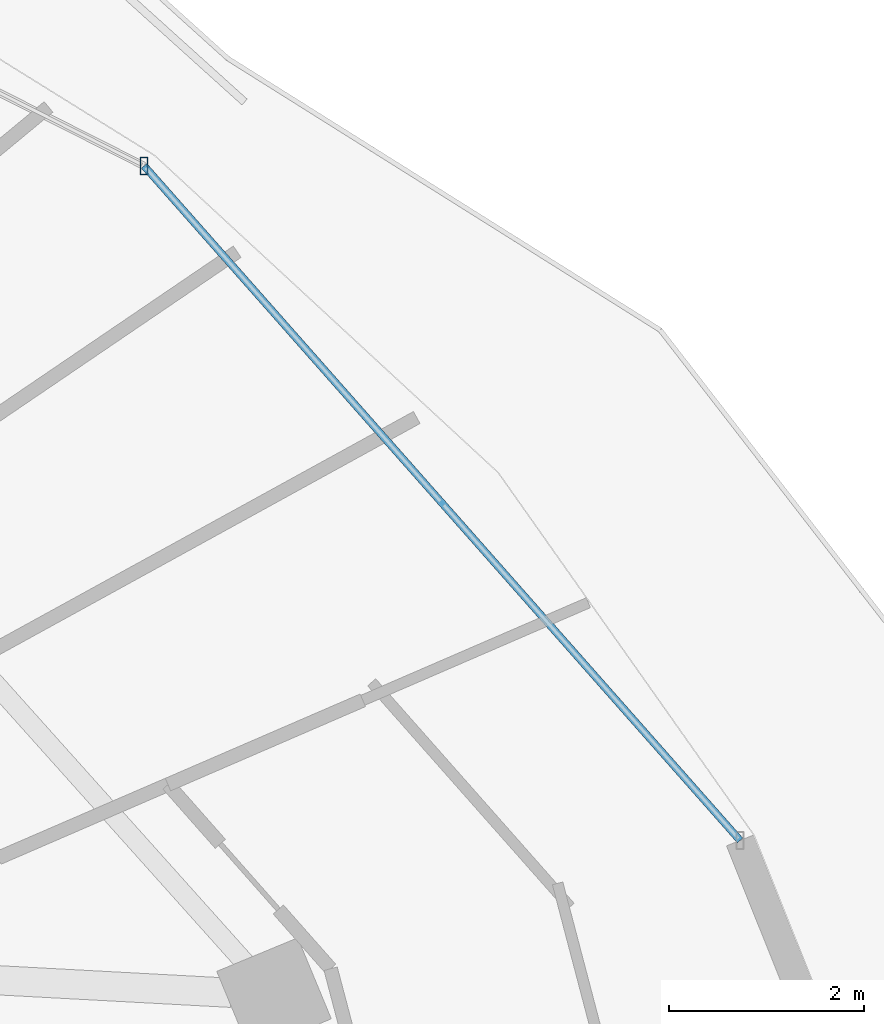
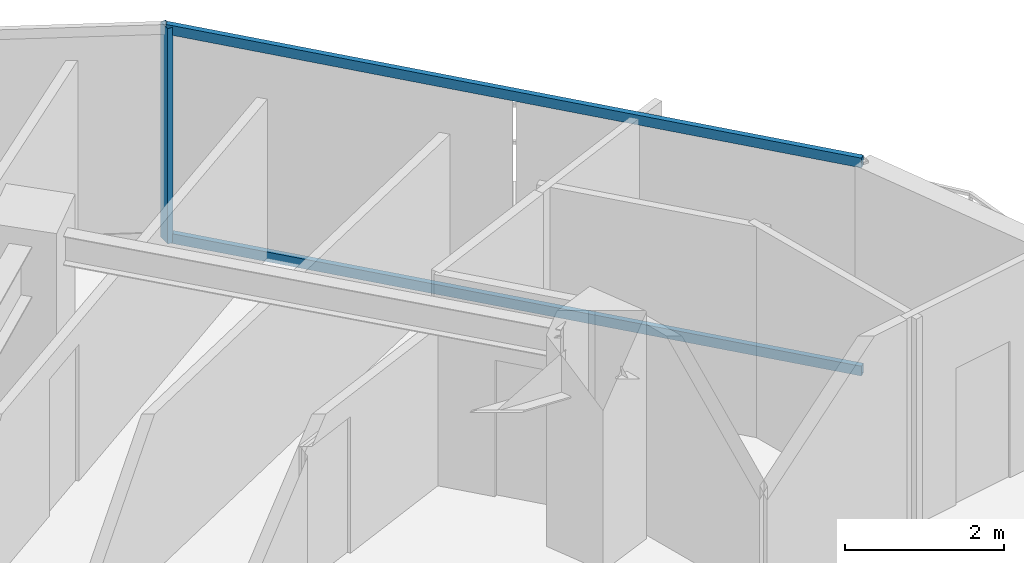
# One storey, part 22 of 34: 3 members, 1 element without a shape of its own.
"""IFC4 building model written with IfcOpenShell, lengths in metres."""

from ifc_helpers import new_model, si_unit, direction, frame, origin, origin_2d, place, context, subcontext, project, spatial, hollow_rectangle, extrude, material, material_profile, profile_set, type_object, element, aggregate, save


model = new_model("IFC4")

# Units and contexts
model_context = context("Model", 3, precision=1e-05, world=origin(), true_north=direction((0.0, 1.0)))
body_context = subcontext(model_context, "Body", "Model", "MODEL_VIEW")
ifc_project = project(units=[si_unit("LENGTHUNIT", "METRE"), si_unit("AREAUNIT", "SQUARE_METRE"), si_unit("VOLUMEUNIT", "CUBIC_METRE"), si_unit("PLANEANGLEUNIT", "RADIAN"), si_unit("MASSUNIT", "GRAM", prefix="KILO")], contexts=[model_context])

# Site, building, storey
site_placement = place(None, origin())
site = spatial("IfcSite", under=ifc_project, at=site_placement, CompositionType="ELEMENT")
building_placement = place(site_placement, origin())
building = spatial("IfcBuilding", under=site, at=building_placement, Name="Vorneva Point Tower", CompositionType="ELEMENT")
storey_placement = place(building_placement, frame((0.0, 0.0, 186.10009765625)))
storey = spatial("IfcBuildingStorey", under=building, at=storey_placement, Name="L50", CompositionType="ELEMENT", Elevation=186.10009765625)

# Curtain wall, members
ifc_material = material(Name="Pale anodised aluminium", Category="aluminium")
curtain_wall_type = type_object("IfcCurtainWallType", Name="CW-RES-SYS", PredefinedType="NOTDEFINED", material=ifc_material)
curtain_wall_placement = place(storey_placement, origin())
curtain_wall = element("IfcCurtainWall", 1, at=curtain_wall_placement, inside=storey, type_object=curtain_wall_type, Name="L50 Unitised Curtain Wall CW-L50-R01", PredefinedType="NOTDEFINED")
ifc_material_profile_1 = material_profile(ifc_material, hollow_rectangle(XDim=0.074951171875, YDim=0.179931640625, WallThickness=0.00390625, at=origin_2d()), Name="AL-MUL 180x75x4")
ifc_profile_set_1 = profile_set([ifc_material_profile_1], Name="Pale anodised aluminium")
member_type_1 = type_object("IfcMemberType", Name="CW-MUL-180", PredefinedType="MULLION", material=ifc_profile_set_1)
member_1_placement = place(storey_placement, frame((57.961669921875, 41.0966796875, -0.0400390625), z_axis=(0.0, 0.0, 1.0), x_axis=(1.0, 0.0, 0.0)))
member_1 = element("IfcMember", 2, at=member_1_placement, type_object=member_type_1, Name="CW-L50-R01 Mullion 02", PredefinedType="MULLION", context=body_context, shape_type="SweptSolid", body=[
    extrude(hollow_rectangle(XDim=0.074951171875, YDim=0.179931640625, WallThickness=0.00390625, at=origin_2d()), origin(), (0.0, 0.0, 1.0), 3.31005859375),
])
ifc_material_profile_2 = material_profile(ifc_material, hollow_rectangle(XDim=0.074951171875, YDim=0.14990234375, WallThickness=0.00390625, at=origin_2d()), Name="AL-TRN 150x75x4")
ifc_profile_set_2 = profile_set([ifc_material_profile_2], Name="Pale anodised aluminium")
member_type_2 = type_object("IfcMemberType", Name="CW-TRN-150", PredefinedType="USERDEFINED", material=ifc_profile_set_2)
member_2_placement = place(storey_placement, frame((64.0810546875, 34.17041015625, 0.02001953125), z_axis=(-0.662106383869, 0.749409858782, 0.0), x_axis=(-0.749409858782, -0.662106383869, 0.0)))
member_2 = element("IfcMember", 3, at=member_2_placement, type_object=member_type_2, Name="CW-L50-R01 Transom 01.1", ObjectType="TRANSOM", PredefinedType="USERDEFINED", context=body_context, shape_type="SweptSolid", body=[
    extrude(hollow_rectangle(XDim=0.074951171875, YDim=0.14990234375, WallThickness=0.00390625, at=origin_2d()), origin(), (0.0, 0.0, 1.0), 9.2421875),
])
member_3_placement = place(storey_placement, frame((64.0810546875, 34.17041015625, 3.219970703125), z_axis=(-0.662106383869, 0.749409858782, 0.0), x_axis=(-0.749409858782, -0.662106383869, 0.0)))
member_3 = element("IfcMember", 4, at=member_3_placement, type_object=member_type_2, Name="CW-L50-R01 Transom 01.2", ObjectType="TRANSOM", PredefinedType="USERDEFINED", context=body_context, shape_type="SweptSolid", body=[
    extrude(hollow_rectangle(XDim=0.074951171875, YDim=0.14990234375, WallThickness=0.00390625, at=origin_2d()), origin(), (0.0, 0.0, 1.0), 9.2421875),
])
aggregate(curtain_wall, [member_1, member_2, member_3])

save(model, "model.ifc")
